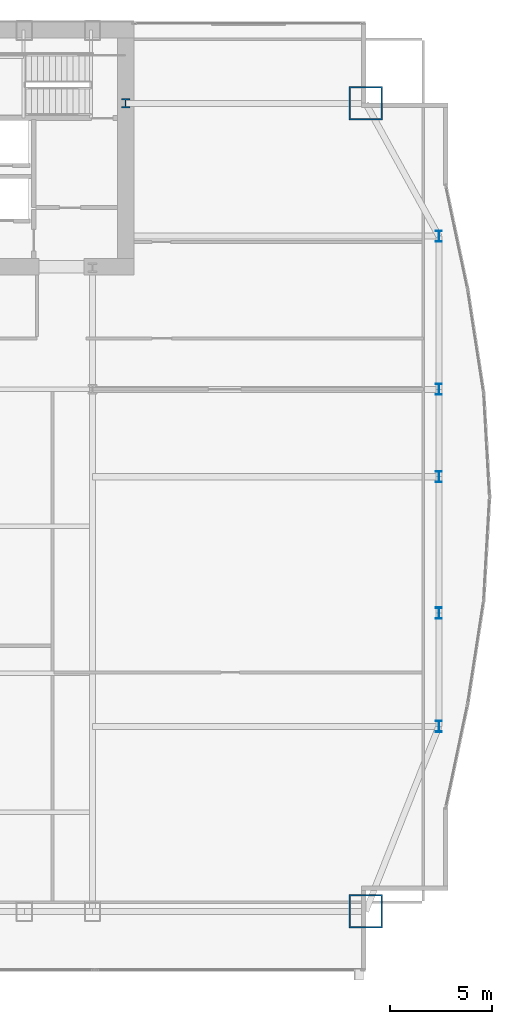
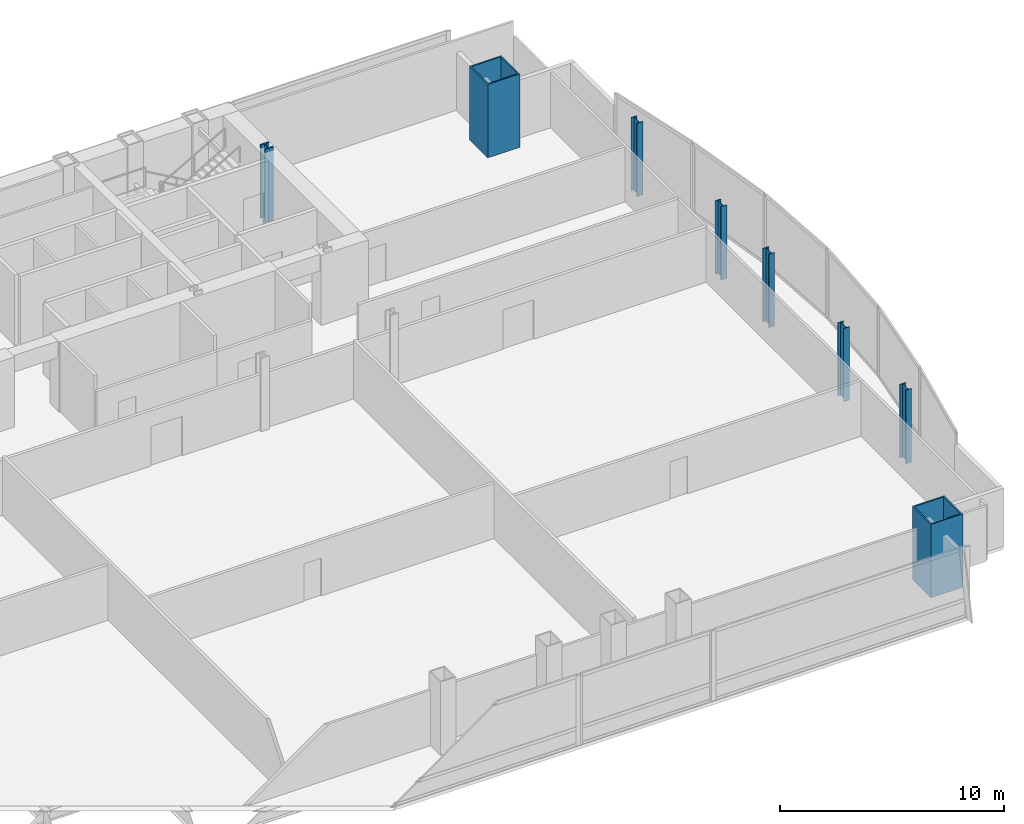
# One storey, part 4 of 35: 8 columns.
"""IFC4 building model written with IfcOpenShell, lengths in metres."""

from ifc_helpers import new_model, si_unit, direction, frame, origin, origin_2d, place, context, subcontext, project, spatial, hollow_rectangle, i_section, extrude, material, material_profile, profile_set, type_object, element, save


model = new_model("IFC4")

# Units and contexts
model_context = context("Model", 3, precision=1e-05, world=origin(), true_north=direction((0.0, 1.0)))
body_context = subcontext(model_context, "Body", "Model", "MODEL_VIEW")
ifc_project = project(units=[si_unit("LENGTHUNIT", "METRE"), si_unit("AREAUNIT", "SQUARE_METRE"), si_unit("VOLUMEUNIT", "CUBIC_METRE"), si_unit("PLANEANGLEUNIT", "RADIAN"), si_unit("MASSUNIT", "GRAM", prefix="KILO")], contexts=[model_context])

# Site, building, storey
site_placement = place(None, origin())
site = spatial("IfcSite", under=ifc_project, at=site_placement, CompositionType="ELEMENT")
building_placement = place(site_placement, origin())
building = spatial("IfcBuilding", under=site, at=building_placement, Name="Khoronbel Lancet Exchange", CompositionType="ELEMENT")
storey_placement = place(building_placement, frame((0.0, 0.0, 53.800048828125)))
storey = spatial("IfcBuildingStorey", under=building, at=storey_placement, Name="L12", CompositionType="ELEMENT", Elevation=53.800048828125)

# Columns
ifc_material_1 = material(Name="Steel S460", Category="steel")
ifc_material_profile_1 = material_profile(ifc_material_1, i_section(OverallWidth=0.424072265625, OverallDepth=0.47412109375, WebThickness=0.047607421875, FlangeThickness=0.076904296875, at=origin_2d()), Name="HD 400x634")
ifc_profile_set_1 = profile_set([ifc_material_profile_1], Name="Steel S460")
column_type_1 = type_object("IfcColumnType", Name="COL-IC1", PredefinedType="COLUMN", material=ifc_profile_set_1)
column_placement = place(storey_placement, frame((56.300048828125, 49.699951171875, 0.0), z_axis=(0.0, 0.0, 1.0), x_axis=(1.0, 0.0, 0.0)))
element("IfcColumn", 1, at=column_placement, inside=storey, type_object=column_type_1, Name="Core-flank plumb transfer column CFE L12", PredefinedType="COLUMN", context=body_context, shape_type="SweptSolid", body=[
    extrude(i_section(OverallWidth=0.424072265625, OverallDepth=0.47412109375, WebThickness=0.047607421875, FlangeThickness=0.076904296875, at=origin_2d()), origin(), (0.0, 0.0, 1.0), 4.0),
])
ifc_material_2 = material(Name="Steel S355", Category="steel")
ifc_material_profile_2 = material_profile(ifc_material_2, i_section(OverallWidth=0.300048828125, OverallDepth=0.550048828125, WebThickness=0.014892578125, FlangeThickness=0.029052734375, at=origin_2d()), Name="HEB 550")
ifc_profile_set_2 = profile_set([ifc_material_profile_2], Name="Steel S355")
column_type_2 = type_object("IfcColumnType", Name="COL-LC1", PredefinedType="COLUMN", material=ifc_profile_set_2)
for number, where, z_axis, x_axis, name in (
    (2, (71.6298828125, 19.199951171875, 0.0), (0.0, 0.0, 1.0), (1.0, 0.0, 0.0), "Structural column EC-1 L12"),
    (3, (71.6298828125, 24.75, 0.0), (0.0, 0.0, 1.0), (1.0, 0.0, 0.0), "Structural column EC-2 L12"),
    (4, (71.6298828125, 31.425048828125, 0.0), (0.0, 0.0, 1.0), (1.0, 0.0, 0.0), "Structural column EC-M L12"),
    (5, (71.6298828125, 35.699951171875, 0.0), (0.0, 0.0, 1.0), (1.0, 0.0, 0.0), "Structural column EC-3 L12"),
    (6, (71.6298828125, 43.199951171875, 0.0), (0.0, 0.0, 1.0), (1.0, 0.0, 0.0), "Structural column EC-4 L12"),
):
    element("IfcColumn", number, at=place(storey_placement, frame(where, z_axis=z_axis, x_axis=x_axis)), inside=storey, type_object=column_type_2, Name=name, PredefinedType="COLUMN", context=body_context, shape_type="SweptSolid", body=[
        extrude(i_section(OverallWidth=0.300048828125, OverallDepth=0.550048828125, WebThickness=0.014892578125, FlangeThickness=0.029052734375, at=origin_2d()), origin(), (0.0, 0.0, 1.0), 4.0),
    ])
ifc_material_profile_3 = material_profile(ifc_material_1, hollow_rectangle(XDim=1.64990234375, YDim=1.64990234375, WallThickness=0.074951171875, at=origin_2d()), Name="BOX 1650x1650x75")
ifc_profile_set_3 = profile_set([ifc_material_profile_3], Name="Steel S460")
column_type_3 = type_object("IfcColumnType", Name="COL-MC2", PredefinedType="COLUMN", material=ifc_profile_set_3)
for number, where, z_axis, x_axis, name in (
    (7, (68.050048828125, 10.14990234375, 0.0), (0.0, 0.0, 1.0), (1.0, 0.0, 0.0), "Structural column MC-SE L12"),
    (8, (68.050048828125, 49.699951171875, 0.0), (0.0, 0.0, 1.0), (1.0, 0.0, 0.0), "Structural column MC-NE L12"),
):
    element("IfcColumn", number, at=place(storey_placement, frame(where, z_axis=z_axis, x_axis=x_axis)), inside=storey, type_object=column_type_3, Name=name, PredefinedType="COLUMN", context=body_context, shape_type="SweptSolid", body=[
        extrude(hollow_rectangle(XDim=1.64990234375, YDim=1.64990234375, WallThickness=0.074951171875, at=origin_2d()), origin(), (0.0, 0.0, 1.0), 4.0),
    ])

save(model, "model.ifc")
